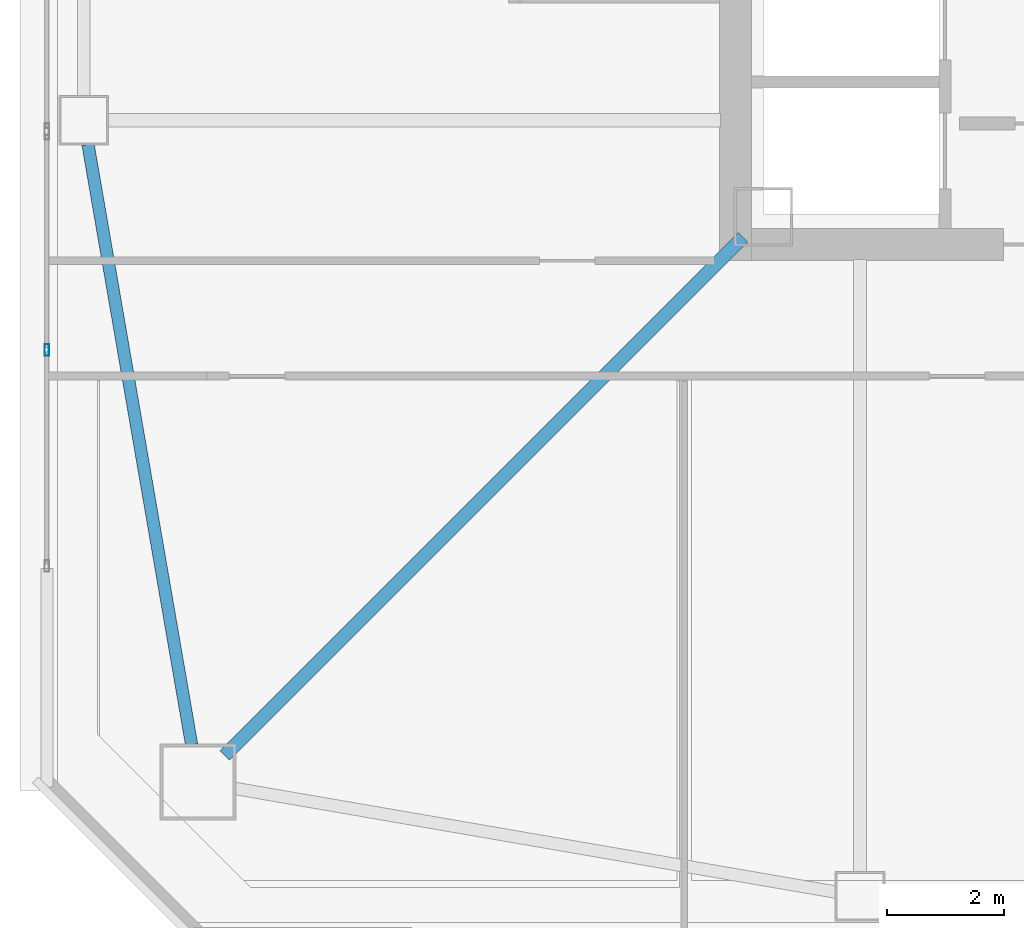
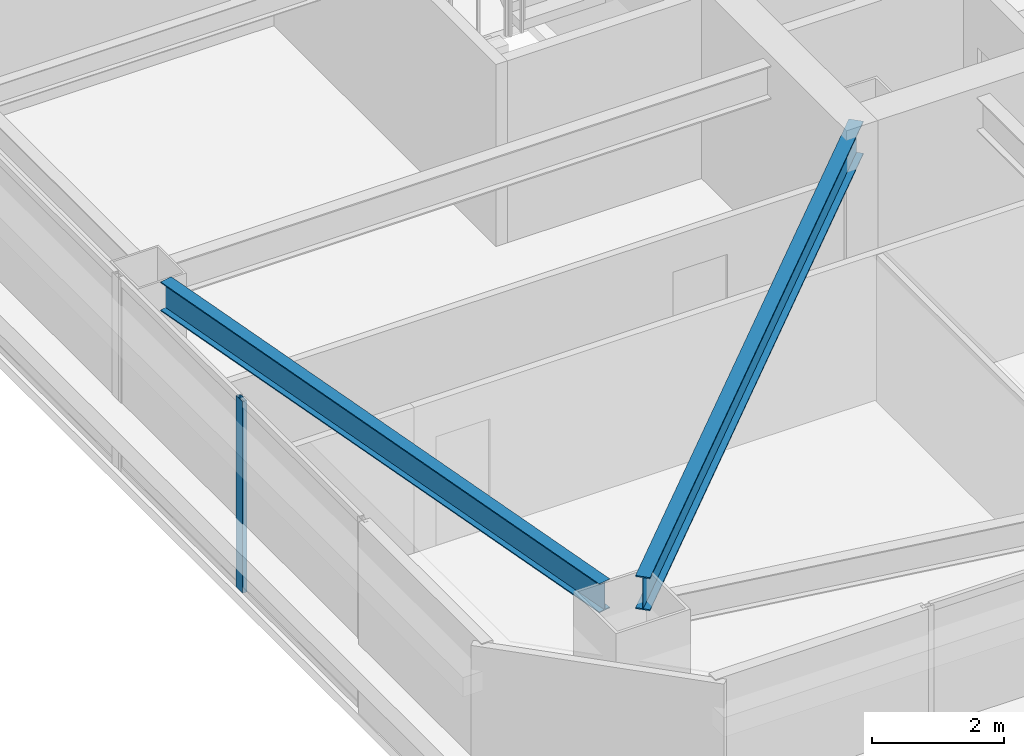
# One storey, part 4 of 44: 2 beams, 1 member, 1 element without a shape of its own.
"""IFC4 building model written with IfcOpenShell, lengths in metres."""

from ifc_helpers import new_model, si_unit, direction, frame, origin, origin_2d, place, context, subcontext, project, spatial, hollow_rectangle, i_section, extrude, material, material_profile, profile_set, type_object, element, aggregate, save


model = new_model("IFC4")

# Units and contexts
model_context = context("Model", 3, precision=1e-05, world=origin(), true_north=direction((0.0, 1.0)))
body_context = subcontext(model_context, "Body", "Model", "MODEL_VIEW")
ifc_project = project(units=[si_unit("LENGTHUNIT", "METRE"), si_unit("AREAUNIT", "SQUARE_METRE"), si_unit("VOLUMEUNIT", "CUBIC_METRE"), si_unit("PLANEANGLEUNIT", "RADIAN"), si_unit("MASSUNIT", "GRAM", prefix="KILO")], contexts=[model_context])

# Site, building, storey
site_placement = place(None, origin())
site = spatial("IfcSite", under=ifc_project, at=site_placement, CompositionType="ELEMENT")
building_placement = place(site_placement, origin())
building = spatial("IfcBuilding", under=site, at=building_placement, Name="Tashvorn Skyway Center", CompositionType="ELEMENT")
storey_placement = place(building_placement, frame((0.0, 0.0, 149.89990234375)))
storey = spatial("IfcBuildingStorey", under=building, at=storey_placement, Name="L40", CompositionType="ELEMENT", Elevation=149.89990234375)

# Beams
ifc_material_1 = material(Name="Steel ASTM A992 Grade 50", Category="steel")
ifc_material_profile_1 = material_profile(ifc_material_1, i_section(OverallWidth=0.22998046875, OverallDepth=0.616943359375, WebThickness=0.01318359375, FlangeThickness=0.022216796875, at=origin_2d()), Name="W24X94")
ifc_profile_set_1 = profile_set([ifc_material_profile_1], Name="Steel ASTM A992 Grade 50")
beam_type_1 = type_object("IfcBeamType", Name="BM-BEAM-W24X94", PredefinedType="BEAM", material=ifc_profile_set_1)
beam_1_placement = place(storey_placement, frame((25.756103515625, 15.756103515625, 3.0615234375), z_axis=(0.707106781187, 0.707106781187, 0.0), x_axis=(-0.707106781187, 0.707106781187, 0.0)))
element("IfcBeam", 1, at=beam_1_placement, inside=storey, type_object=beam_type_1, Name="Tower 1 L40 Primary Floor Girder MC-SW", PredefinedType="BEAM", context=body_context, shape_type="SweptSolid", body=[
    extrude(i_section(OverallWidth=0.22998046875, OverallDepth=0.616943359375, WebThickness=0.01318359375, FlangeThickness=0.022216796875, at=origin_2d()), origin(), (0.0, 0.0, 1.0), 12.50732421875),
])
ifc_material_profile_2 = material_profile(ifc_material_1, i_section(OverallWidth=0.2109375, OverallDepth=0.5390625, WebThickness=0.01171875, FlangeThickness=0.018798828125, at=origin_2d()), Name="W21X73")
ifc_profile_set_2 = profile_set([ifc_material_profile_2], Name="Steel ASTM A992 Grade 50")
beam_type_2 = type_object("IfcBeamType", Name="BM-SPANDREL-W21X73", PredefinedType="SPANDREL", material=ifc_profile_set_2)
beam_2_placement = place(storey_placement, frame((23.42138671875, 26.18603515625, 3.1005859375), z_axis=(0.170067250846, -0.985432458462, 0.0), x_axis=(0.985432458462, 0.170067250846, 0.0)))
element("IfcBeam", 2, at=beam_2_placement, inside=storey, type_object=beam_type_2, Name="Tower 1 L40 Spandrel Beam 12", PredefinedType="SPANDREL", context=body_context, shape_type="SweptSolid", body=[
    extrude(i_section(OverallWidth=0.2109375, OverallDepth=0.5390625, WebThickness=0.01171875, FlangeThickness=0.018798828125, at=origin_2d()), origin(), (0.0, 0.0, 1.0), 10.402099609375),
])

# Curtain wall, member
ifc_material_2 = material(Name="Thermally broken bronze-anodized aluminium 6063-T6", Category="aluminium")
curtain_wall_type = type_object("IfcCurtainWallType", Name="CW-CW-Z3", PredefinedType="NOTDEFINED", material=ifc_material_2)
curtain_wall_placement = place(storey_placement, origin())
curtain_wall = element("IfcCurtainWall", 3, at=curtain_wall_placement, inside=storey, type_object=curtain_wall_type, Name="Tower 1 L40 West Unitised Curtain Wall Glazing Group 1", PredefinedType="NOTDEFINED")
ifc_material_profile_3 = material_profile(ifc_material_2, hollow_rectangle(XDim=0.074951171875, YDim=0.199951171875, WallThickness=0.00439453125, at=origin_2d()), Name="ALU-MULL-75x200")
ifc_profile_set_3 = profile_set([ifc_material_profile_3], Name="Thermally broken bronze-anodized aluminium 6063-T6")
member_type = type_object("IfcMemberType", Name="CWM-CW-Z3", PredefinedType="MULLION", material=ifc_profile_set_3)
member_placement = place(storey_placement, frame((22.719970703125, 22.677734375, 0.0), z_axis=(0.0, 0.0, 1.0), x_axis=(-1.0, 0.0, 0.0)))
member = element("IfcMember", 4, at=member_placement, type_object=member_type, Name="CW-Z3 mullion 2", PredefinedType="MULLION", context=body_context, shape_type="SweptSolid", body=[
    extrude(hollow_rectangle(XDim=0.074951171875, YDim=0.199951171875, WallThickness=0.00439453125, at=origin_2d()), origin(), (0.0, 0.0, 1.0), 3.550048828125),
])
aggregate(curtain_wall, [member])

save(model, "model.ifc")
